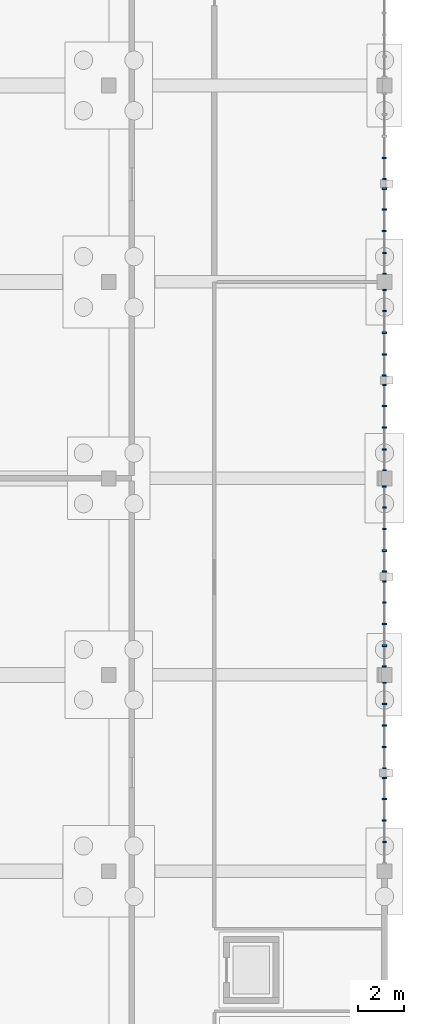
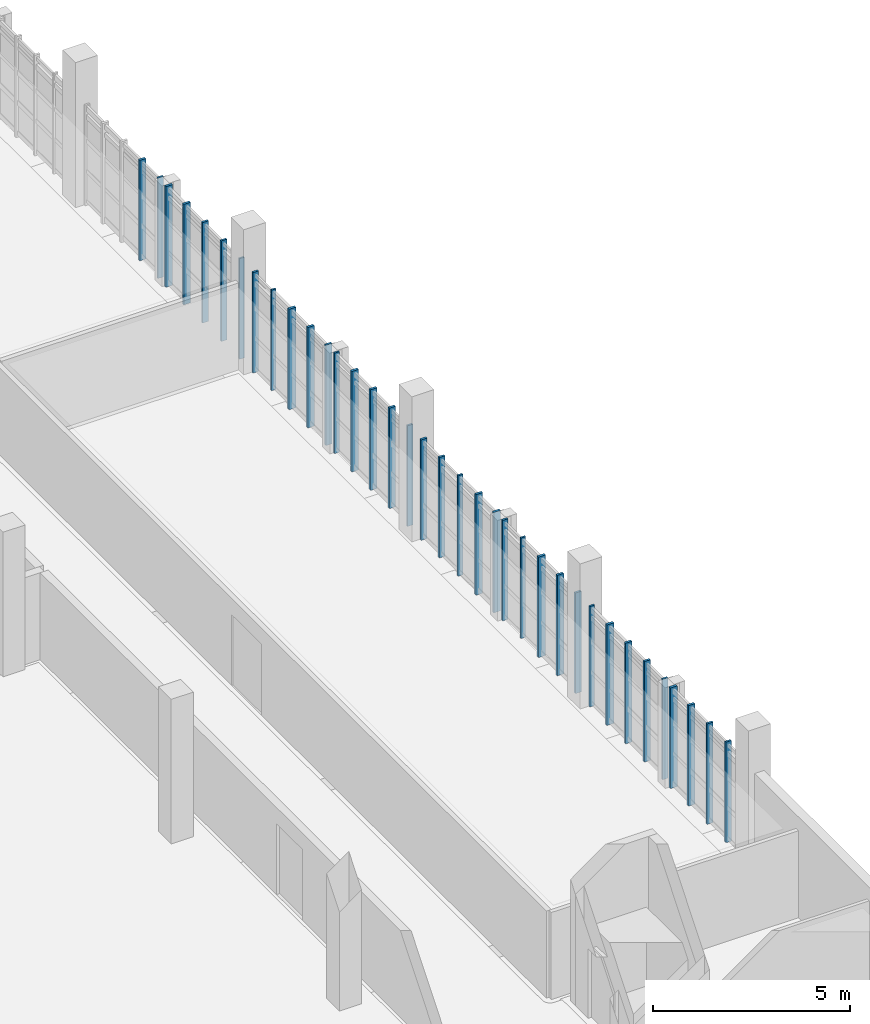
# One storey, part 48 of 125: 36 members, 8 elements without a shape of their own.
"""IFC4 building model written with IfcOpenShell, lengths in metres."""

from ifc_helpers import new_model, si_unit, direction, frame, origin, origin_2d, place, context, subcontext, project, spatial, rectangle, extrude, material, material_profile, profile_set, type_object, element, aggregate, save


model = new_model("IFC4")

# Units and contexts
model_context = context("Model", 3, precision=1e-05, world=origin(), true_north=direction((0.0, 1.0)))
body_context = subcontext(model_context, "Body", "Model", "MODEL_VIEW")
ifc_project = project(units=[si_unit("LENGTHUNIT", "METRE"), si_unit("AREAUNIT", "SQUARE_METRE"), si_unit("VOLUMEUNIT", "CUBIC_METRE"), si_unit("PLANEANGLEUNIT", "RADIAN"), si_unit("MASSUNIT", "GRAM", prefix="KILO")], contexts=[model_context])

# Site, building, storey
site_placement = place(None, origin())
site = spatial("IfcSite", under=ifc_project, at=site_placement, CompositionType="ELEMENT")
building_placement = place(site_placement, origin())
building = spatial("IfcBuilding", under=site, at=building_placement, Name="Serraforn Aerial Cableway Station", CompositionType="ELEMENT")
storey_placement = place(building_placement, frame((0.0, 0.0, 4.5)))
storey = spatial("IfcBuildingStorey", under=building, at=storey_placement, Name="L01", CompositionType="ELEMENT", Elevation=4.5)

# Curtain wall, member
ifc_material_1 = material(Name="Anodised bronze unitised curtain wall")
curtain_wall_type_1 = type_object("IfcCurtainWallType", Name="CW-SYS-8", PredefinedType="USERDEFINED", material=ifc_material_1)
curtain_wall_1_placement = place(storey_placement, origin())
curtain_wall_1 = element("IfcCurtainWall", 1, at=curtain_wall_1_placement, inside=storey, type_object=curtain_wall_type_1, Name="Unitised Curtain Wall CW-EG-L01-E3B", ObjectType="UNITISED CURTAIN WALL", PredefinedType="USERDEFINED")
ifc_material_2 = material(Name="Anodised bronze extruded aluminium", Category="aluminium")
ifc_material_profile_1 = material_profile(ifc_material_2, rectangle(XDim=0.054931640625, YDim=0.139892578125, at=origin_2d()), Name="CW MULLION 55x140")
ifc_profile_set_1 = profile_set([ifc_material_profile_1], Name="Anodised bronze extruded aluminium")
member_type_1 = type_object("IfcMemberType", Name="CW-MUL-1", PredefinedType="MULLION", material=ifc_profile_set_1)
member_1_placement = place(storey_placement, frame((168.0, 70.8994140625, 0.0), z_axis=(0.0, 0.0, 1.0), x_axis=(0.0, 1.0, 0.0)))
member_1 = element("IfcMember", 2, at=member_1_placement, type_object=member_type_1, Name="Curtain Wall Mullion CW-EG-L01-E3B-M5", PredefinedType="MULLION", context=body_context, shape_type="SweptSolid", body=[
    extrude(rectangle(XDim=0.054931640625, YDim=0.139892578125, at=origin_2d()), origin(), (0.0, 0.0, 1.0), 3.1201171875),
])

curtain_wall_type_2 = type_object("IfcCurtainWallType", Name="CW-SYS-9", PredefinedType="USERDEFINED", material=ifc_material_1)
curtain_wall_2_placement = place(storey_placement, origin())
curtain_wall_2 = element("IfcCurtainWall", 3, at=curtain_wall_2_placement, inside=storey, type_object=curtain_wall_type_2, Name="Unitised Curtain Wall CW-EG-L01-E4A", ObjectType="UNITISED CURTAIN WALL", PredefinedType="USERDEFINED")
member_2_placement = place(storey_placement, frame((168.0, 74.402099609375, 0.0), z_axis=(0.0, 0.0, 1.0), x_axis=(0.0, 1.0, 0.0)))
member_2 = element("IfcMember", 4, at=member_2_placement, type_object=member_type_1, Name="Curtain Wall Mullion CW-EG-L01-E4A-M4", PredefinedType="MULLION", context=body_context, shape_type="SweptSolid", body=[
    extrude(rectangle(XDim=0.054931640625, YDim=0.139892578125, at=origin_2d()), origin(), (0.0, 0.0, 1.0), 3.1201171875),
])

curtain_wall_type_3 = type_object("IfcCurtainWallType", Name="CW-SYS-10", PredefinedType="USERDEFINED", material=ifc_material_1)
curtain_wall_3_placement = place(storey_placement, origin())
curtain_wall_3 = element("IfcCurtainWall", 5, at=curtain_wall_3_placement, inside=storey, type_object=curtain_wall_type_3, Name="Unitised Curtain Wall CW-EG-L01-E4B", ObjectType="UNITISED CURTAIN WALL", PredefinedType="USERDEFINED")
member_3_placement = place(storey_placement, frame((168.0, 77.591064453125, 0.0), z_axis=(0.0, 0.0, 1.0), x_axis=(0.0, 1.0, 0.0)))
member_3 = element("IfcMember", 6, at=member_3_placement, type_object=member_type_1, Name="Curtain Wall Mullion CW-EG-L01-E4B-M3", PredefinedType="MULLION", context=body_context, shape_type="SweptSolid", body=[
    extrude(rectangle(XDim=0.054931640625, YDim=0.139892578125, at=origin_2d()), origin(), (0.0, 0.0, 1.0), 3.1201171875),
])

curtain_wall_type_4 = type_object("IfcCurtainWallType", Name="CW-SYS-13", PredefinedType="USERDEFINED", material=ifc_material_1)
curtain_wall_4_placement = place(storey_placement, origin())
curtain_wall_4 = element("IfcCurtainWall", 7, at=curtain_wall_4_placement, inside=storey, type_object=curtain_wall_type_4, Name="Unitised Curtain Wall CW-EG-L01-E5A", ObjectType="UNITISED CURTAIN WALL", PredefinedType="USERDEFINED")
member_4_placement = place(storey_placement, frame((168.0, 83.867431640625, 0.0), z_axis=(0.0, 0.0, 1.0), x_axis=(0.0, 1.0, 0.0)))
member_4 = element("IfcMember", 8, at=member_4_placement, type_object=member_type_1, Name="Curtain Wall Mullion CW-EG-L01-E5A-M5", PredefinedType="MULLION", context=body_context, shape_type="SweptSolid", body=[
    extrude(rectangle(XDim=0.054931640625, YDim=0.139892578125, at=origin_2d()), origin(), (0.0, 0.0, 1.0), 3.1201171875),
])

curtain_wall_type_5 = type_object("IfcCurtainWallType", Name="CW-SYS-14", PredefinedType="USERDEFINED", material=ifc_material_1)
curtain_wall_5_placement = place(storey_placement, origin())
curtain_wall_5 = element("IfcCurtainWall", 9, at=curtain_wall_5_placement, inside=storey, type_object=curtain_wall_type_5, Name="Unitised Curtain Wall CW-EG-L01-E5B", ObjectType="UNITISED CURTAIN WALL", PredefinedType="USERDEFINED")
member_5_placement = place(storey_placement, frame((168.0, 87.083984375, 0.0), z_axis=(0.0, 0.0, 1.0), x_axis=(0.0, 1.0, 0.0)))
member_5 = element("IfcMember", 10, at=member_5_placement, type_object=member_type_1, Name="Curtain Wall Mullion CW-EG-L01-E5B-M4", PredefinedType="MULLION", context=body_context, shape_type="SweptSolid", body=[
    extrude(rectangle(XDim=0.054931640625, YDim=0.139892578125, at=origin_2d()), origin(), (0.0, 0.0, 1.0), 3.1201171875),
])

curtain_wall_type_6 = type_object("IfcCurtainWallType", Name="CW-SYS-17", PredefinedType="USERDEFINED", material=ifc_material_1)
curtain_wall_6_placement = place(storey_placement, origin())
curtain_wall_6 = element("IfcCurtainWall", 11, at=curtain_wall_6_placement, inside=storey, type_object=curtain_wall_type_6, Name="Unitised Curtain Wall CW-EG-L01-E6A", ObjectType="UNITISED CURTAIN WALL", PredefinedType="USERDEFINED")
member_6_placement = place(storey_placement, frame((168.0, 88.700439453125, 0.0), z_axis=(0.0, 0.0, 1.0), x_axis=(0.0, 1.0, 0.0)))
member_6 = element("IfcMember", 12, at=member_6_placement, type_object=member_type_1, Name="Curtain Wall Mullion CW-EG-L01-E6A-M1", PredefinedType="MULLION", context=body_context, shape_type="SweptSolid", body=[
    extrude(rectangle(XDim=0.054931640625, YDim=0.139892578125, at=origin_2d()), origin(), (0.0, 0.0, 1.0), 3.1201171875),
])

curtain_wall_type_7 = type_object("IfcCurtainWallType", Name="CW-SYS-7", PredefinedType="USERDEFINED", material=ifc_material_1)
curtain_wall_7_placement = place(storey_placement, origin())
curtain_wall_7 = element("IfcCurtainWall", 13, at=curtain_wall_7_placement, inside=storey, type_object=curtain_wall_type_7, Name="Unitised Curtain Wall CW-EG-L01-E3A", ObjectType="UNITISED CURTAIN WALL", PredefinedType="USERDEFINED")
ifc_material_profile_2 = material_profile(ifc_material_2, rectangle(XDim=0.06005859375, YDim=0.159912109375, at=origin_2d()), Name="CW MULLION 60x160")
ifc_profile_set_2 = profile_set([ifc_material_profile_2], Name="Anodised bronze extruded aluminium")
member_type_2 = type_object("IfcMemberType", Name="CW-MUL-2", PredefinedType="MULLION", material=ifc_profile_set_2)
member_7_placement = place(storey_placement, frame((168.0, 63.966064453125, 0.0), z_axis=(0.0, 0.0, 1.0), x_axis=(0.0, 1.0, 0.0)))
member_7 = element("IfcMember", 14, at=member_7_placement, type_object=member_type_2, Name="Curtain Wall Mullion CW-EG-L01-E3A-M2", PredefinedType="MULLION", context=body_context, shape_type="SweptSolid", body=[
    extrude(rectangle(XDim=0.06005859375, YDim=0.159912109375, at=origin_2d()), origin(), (0.0, 0.0, 1.0), 3.1201171875),
])

# Member
member_8_placement = place(storey_placement, frame((168.0, 67.18505859375, 0.0), z_axis=(0.0, 0.0, 1.0), x_axis=(0.0, 1.0, 0.0)))
member_8 = element("IfcMember", 15, at=member_8_placement, type_object=member_type_2, Name="Curtain Wall Mullion CW-EG-L01-E3B-M1", PredefinedType="MULLION", context=body_context, shape_type="SweptSolid", body=[
    extrude(rectangle(XDim=0.06005859375, YDim=0.159912109375, at=origin_2d()), origin(), (0.0, 0.0, 1.0), 3.1201171875),
])

member_9_placement = place(storey_placement, frame((168.0, 75.31494140625, 0.0), z_axis=(0.0, 0.0, 1.0), x_axis=(0.0, 1.0, 0.0)))
member_9 = element("IfcMember", 16, at=member_9_placement, type_object=member_type_2, Name="Curtain Wall Mullion CW-EG-L01-E4A-M5", PredefinedType="MULLION", context=body_context, shape_type="SweptSolid", body=[
    extrude(rectangle(XDim=0.06005859375, YDim=0.159912109375, at=origin_2d()), origin(), (0.0, 0.0, 1.0), 3.1201171875),
])

member_10_placement = place(storey_placement, frame((168.0, 78.533935546875, 0.0), z_axis=(0.0, 0.0, 1.0), x_axis=(0.0, 1.0, 0.0)))
member_10 = element("IfcMember", 17, at=member_10_placement, type_object=member_type_2, Name="Curtain Wall Mullion CW-EG-L01-E4B-M4", PredefinedType="MULLION", context=body_context, shape_type="SweptSolid", body=[
    extrude(rectangle(XDim=0.06005859375, YDim=0.159912109375, at=origin_2d()), origin(), (0.0, 0.0, 1.0), 3.1201171875),
])

member_11_placement = place(storey_placement, frame((168.0, 80.153076171875, 0.0), z_axis=(0.0, 0.0, 1.0), x_axis=(0.0, 1.0, 0.0)))
member_11 = element("IfcMember", 18, at=member_11_placement, type_object=member_type_2, Name="Curtain Wall Mullion CW-EG-L01-E5A-M1", PredefinedType="MULLION", context=body_context, shape_type="SweptSolid", body=[
    extrude(rectangle(XDim=0.06005859375, YDim=0.159912109375, at=origin_2d()), origin(), (0.0, 0.0, 1.0), 3.1201171875),
])

member_12_placement = place(storey_placement, frame((168.0, 87.9970703125, 0.0), z_axis=(0.0, 0.0, 1.0), x_axis=(0.0, 1.0, 0.0)))
member_12 = element("IfcMember", 19, at=member_12_placement, type_object=member_type_2, Name="Curtain Wall Mullion CW-EG-L01-E5B-M5", PredefinedType="MULLION", context=body_context, shape_type="SweptSolid", body=[
    extrude(rectangle(XDim=0.06005859375, YDim=0.159912109375, at=origin_2d()), origin(), (0.0, 0.0, 1.0), 3.1201171875),
])

member_13_placement = place(storey_placement, frame((168.0, 89.615966796875, 0.0), z_axis=(0.0, 0.0, 1.0), x_axis=(0.0, 1.0, 0.0)))
member_13 = element("IfcMember", 20, at=member_13_placement, type_object=member_type_2, Name="Curtain Wall Mullion CW-EG-L01-E6A-M2", PredefinedType="MULLION", context=body_context, shape_type="SweptSolid", body=[
    extrude(rectangle(XDim=0.06005859375, YDim=0.159912109375, at=origin_2d()), origin(), (0.0, 0.0, 1.0), 3.1201171875),
])

# Curtain wall, member
curtain_wall_type_8 = type_object("IfcCurtainWallType", Name="CW-SYS-18", PredefinedType="USERDEFINED", material=ifc_material_1)
curtain_wall_8_placement = place(storey_placement, origin())
curtain_wall_8 = element("IfcCurtainWall", 21, at=curtain_wall_8_placement, inside=storey, type_object=curtain_wall_type_8, Name="Unitised Curtain Wall CW-EG-L01-E6B", ObjectType="UNITISED CURTAIN WALL", PredefinedType="USERDEFINED")
member_14_placement = place(storey_placement, frame((168.0, 92.8349609375, 0.0), z_axis=(0.0, 0.0, 1.0), x_axis=(0.0, 1.0, 0.0)))
member_14 = element("IfcMember", 22, at=member_14_placement, type_object=member_type_2, Name="Curtain Wall Mullion CW-EG-L01-E6B-M1", PredefinedType="MULLION", context=body_context, shape_type="SweptSolid", body=[
    extrude(rectangle(XDim=0.06005859375, YDim=0.159912109375, at=origin_2d()), origin(), (0.0, 0.0, 1.0), 3.1201171875),
])

# Member
ifc_material_profile_3 = material_profile(ifc_material_2, rectangle(XDim=0.06494140625, YDim=0.175048828125, at=origin_2d()), Name="CW MULLION 65x175")
ifc_profile_set_3 = profile_set([ifc_material_profile_3], Name="Anodised bronze extruded aluminium")
member_type_3 = type_object("IfcMemberType", Name="CW-MUL-3", PredefinedType="MULLION", material=ifc_profile_set_3)
member_15_placement = place(storey_placement, frame((168.0, 64.908935546875, 0.0), z_axis=(0.0, 0.0, 1.0), x_axis=(0.0, 1.0, 0.0)))
member_15 = element("IfcMember", 23, at=member_15_placement, type_object=member_type_3, Name="Curtain Wall Mullion CW-EG-L01-E3A-M3", PredefinedType="MULLION", context=body_context, shape_type="SweptSolid", body=[
    extrude(rectangle(XDim=0.06494140625, YDim=0.175048828125, at=origin_2d()), origin(), (0.0, 0.0, 1.0), 3.1201171875),
])

member_16_placement = place(storey_placement, frame((168.0, 68.097900390625, 0.0), z_axis=(0.0, 0.0, 1.0), x_axis=(0.0, 1.0, 0.0)))
member_16 = element("IfcMember", 24, at=member_16_placement, type_object=member_type_3, Name="Curtain Wall Mullion CW-EG-L01-E3B-M2", PredefinedType="MULLION", context=body_context, shape_type="SweptSolid", body=[
    extrude(rectangle(XDim=0.06494140625, YDim=0.175048828125, at=origin_2d()), origin(), (0.0, 0.0, 1.0), 3.1201171875),
])

member_17_placement = place(storey_placement, frame((168.0, 71.60546875, 0.0), z_axis=(0.0, 0.0, 1.0), x_axis=(0.0, 1.0, 0.0)))
member_17 = element("IfcMember", 25, at=member_17_placement, type_object=member_type_3, Name="Curtain Wall Mullion CW-EG-L01-E4A-M1", PredefinedType="MULLION", context=body_context, shape_type="SweptSolid", body=[
    extrude(rectangle(XDim=0.06494140625, YDim=0.175048828125, at=origin_2d()), origin(), (0.0, 0.0, 1.0), 3.1201171875),
])

member_18_placement = place(storey_placement, frame((168.0, 79.444580078125, 0.0), z_axis=(0.0, 0.0, 1.0), x_axis=(0.0, 1.0, 0.0)))
member_18 = element("IfcMember", 26, at=member_18_placement, type_object=member_type_3, Name="Curtain Wall Mullion CW-EG-L01-E4B-M5", PredefinedType="MULLION", context=body_context, shape_type="SweptSolid", body=[
    extrude(rectangle(XDim=0.06494140625, YDim=0.175048828125, at=origin_2d()), origin(), (0.0, 0.0, 1.0), 3.1201171875),
])

member_19_placement = place(storey_placement, frame((168.0, 81.06591796875, 0.0), z_axis=(0.0, 0.0, 1.0), x_axis=(0.0, 1.0, 0.0)))
member_19 = element("IfcMember", 27, at=member_19_placement, type_object=member_type_3, Name="Curtain Wall Mullion CW-EG-L01-E5A-M2", PredefinedType="MULLION", context=body_context, shape_type="SweptSolid", body=[
    extrude(rectangle(XDim=0.06494140625, YDim=0.175048828125, at=origin_2d()), origin(), (0.0, 0.0, 1.0), 3.1201171875),
])

member_20_placement = place(storey_placement, frame((168.0, 84.28759765625, 0.0), z_axis=(0.0, 0.0, 1.0), x_axis=(0.0, 1.0, 0.0)))
member_20 = element("IfcMember", 28, at=member_20_placement, type_object=member_type_3, Name="Curtain Wall Mullion CW-EG-L01-E5B-M1", PredefinedType="MULLION", context=body_context, shape_type="SweptSolid", body=[
    extrude(rectangle(XDim=0.06494140625, YDim=0.175048828125, at=origin_2d()), origin(), (0.0, 0.0, 1.0), 3.1201171875),
])

member_21_placement = place(storey_placement, frame((168.0, 90.55908203125, 0.0), z_axis=(0.0, 0.0, 1.0), x_axis=(0.0, 1.0, 0.0)))
member_21 = element("IfcMember", 29, at=member_21_placement, type_object=member_type_3, Name="Curtain Wall Mullion CW-EG-L01-E6A-M3", PredefinedType="MULLION", context=body_context, shape_type="SweptSolid", body=[
    extrude(rectangle(XDim=0.06494140625, YDim=0.175048828125, at=origin_2d()), origin(), (0.0, 0.0, 1.0), 3.1201171875),
])

member_22_placement = place(storey_placement, frame((168.0, 93.748046875, 0.0), z_axis=(0.0, 0.0, 1.0), x_axis=(0.0, 1.0, 0.0)))
member_22 = element("IfcMember", 30, at=member_22_placement, type_object=member_type_3, Name="Curtain Wall Mullion CW-EG-L01-E6B-M2", PredefinedType="MULLION", context=body_context, shape_type="SweptSolid", body=[
    extrude(rectangle(XDim=0.06494140625, YDim=0.175048828125, at=origin_2d()), origin(), (0.0, 0.0, 1.0), 3.1201171875),
])

aggregate(curtain_wall_8, [member_14, member_22])

ifc_material_profile_4 = material_profile(ifc_material_2, rectangle(XDim=0.070068359375, YDim=0.18994140625, at=origin_2d()), Name="CW MULLION 70x190")
ifc_profile_set_4 = profile_set([ifc_material_profile_4], Name="Anodised bronze extruded aluminium")
member_type_4 = type_object("IfcMemberType", Name="CW-MUL-4", PredefinedType="MULLION", material=ifc_profile_set_4)
member_23_placement = place(storey_placement, frame((168.0, 65.85205078125, 0.0), z_axis=(0.0, 0.0, 1.0), x_axis=(0.0, 1.0, 0.0)))
member_23 = element("IfcMember", 31, at=member_23_placement, type_object=member_type_4, Name="Curtain Wall Mullion CW-EG-L01-E3A-M4", PredefinedType="MULLION", context=body_context, shape_type="SweptSolid", body=[
    extrude(rectangle(XDim=0.070068359375, YDim=0.18994140625, at=origin_2d()), origin(), (0.0, 0.0, 1.0), 3.1201171875),
])

member_24_placement = place(storey_placement, frame((168.0, 69.041015625, 0.0), z_axis=(0.0, 0.0, 1.0), x_axis=(0.0, 1.0, 0.0)))
member_24 = element("IfcMember", 32, at=member_24_placement, type_object=member_type_4, Name="Curtain Wall Mullion CW-EG-L01-E3B-M3", PredefinedType="MULLION", context=body_context, shape_type="SweptSolid", body=[
    extrude(rectangle(XDim=0.070068359375, YDim=0.18994140625, at=origin_2d()), origin(), (0.0, 0.0, 1.0), 3.1201171875),
])

member_25_placement = place(storey_placement, frame((168.0, 72.51611328125, 0.0), z_axis=(0.0, 0.0, 1.0), x_axis=(0.0, 1.0, 0.0)))
member_25 = element("IfcMember", 33, at=member_25_placement, type_object=member_type_4, Name="Curtain Wall Mullion CW-EG-L01-E4A-M2", PredefinedType="MULLION", context=body_context, shape_type="SweptSolid", body=[
    extrude(rectangle(XDim=0.070068359375, YDim=0.18994140625, at=origin_2d()), origin(), (0.0, 0.0, 1.0), 3.1201171875),
])

member_26_placement = place(storey_placement, frame((168.0, 75.739990234375, 0.0), z_axis=(0.0, 0.0, 1.0), x_axis=(0.0, 1.0, 0.0)))
member_26 = element("IfcMember", 34, at=member_26_placement, type_object=member_type_4, Name="Curtain Wall Mullion CW-EG-L01-E4B-M1", PredefinedType="MULLION", context=body_context, shape_type="SweptSolid", body=[
    extrude(rectangle(XDim=0.070068359375, YDim=0.18994140625, at=origin_2d()), origin(), (0.0, 0.0, 1.0), 3.1201171875),
])

member_27_placement = place(storey_placement, frame((168.0, 82.009033203125, 0.0), z_axis=(0.0, 0.0, 1.0), x_axis=(0.0, 1.0, 0.0)))
member_27 = element("IfcMember", 35, at=member_27_placement, type_object=member_type_4, Name="Curtain Wall Mullion CW-EG-L01-E5A-M3", PredefinedType="MULLION", context=body_context, shape_type="SweptSolid", body=[
    extrude(rectangle(XDim=0.070068359375, YDim=0.18994140625, at=origin_2d()), origin(), (0.0, 0.0, 1.0), 3.1201171875),
])

member_28_placement = place(storey_placement, frame((168.0, 85.197998046875, 0.0), z_axis=(0.0, 0.0, 1.0), x_axis=(0.0, 1.0, 0.0)))
member_28 = element("IfcMember", 36, at=member_28_placement, type_object=member_type_4, Name="Curtain Wall Mullion CW-EG-L01-E5B-M2", PredefinedType="MULLION", context=body_context, shape_type="SweptSolid", body=[
    extrude(rectangle(XDim=0.070068359375, YDim=0.18994140625, at=origin_2d()), origin(), (0.0, 0.0, 1.0), 3.1201171875),
])

member_29_placement = place(storey_placement, frame((168.0, 91.501953125, 0.0), z_axis=(0.0, 0.0, 1.0), x_axis=(0.0, 1.0, 0.0)))
member_29 = element("IfcMember", 37, at=member_29_placement, type_object=member_type_4, Name="Curtain Wall Mullion CW-EG-L01-E6A-M4", PredefinedType="MULLION", context=body_context, shape_type="SweptSolid", body=[
    extrude(rectangle(XDim=0.070068359375, YDim=0.18994140625, at=origin_2d()), origin(), (0.0, 0.0, 1.0), 3.1201171875),
])

ifc_material_profile_5 = material_profile(ifc_material_2, rectangle(XDim=0.074951171875, YDim=0.199951171875, at=origin_2d()), Name="CW MULLION 75x200")
ifc_profile_set_5 = profile_set([ifc_material_profile_5], Name="Anodised bronze extruded aluminium")
member_type_5 = type_object("IfcMemberType", Name="CW-MUL-5", PredefinedType="MULLION", material=ifc_profile_set_5)
member_30_placement = place(storey_placement, frame((168.0, 66.757568359375, 0.0), z_axis=(0.0, 0.0, 1.0), x_axis=(0.0, 1.0, 0.0)))
member_30 = element("IfcMember", 38, at=member_30_placement, type_object=member_type_5, Name="Curtain Wall Mullion CW-EG-L01-E3A-M5", PredefinedType="MULLION", context=body_context, shape_type="SweptSolid", body=[
    extrude(rectangle(XDim=0.074951171875, YDim=0.199951171875, at=origin_2d()), origin(), (0.0, 0.0, 1.0), 3.1201171875),
])

aggregate(curtain_wall_7, [member_7, member_15, member_23, member_30])

member_31_placement = place(storey_placement, frame((168.0, 69.98388671875, 0.0), z_axis=(0.0, 0.0, 1.0), x_axis=(0.0, 1.0, 0.0)))
member_31 = element("IfcMember", 39, at=member_31_placement, type_object=member_type_5, Name="Curtain Wall Mullion CW-EG-L01-E3B-M4", PredefinedType="MULLION", context=body_context, shape_type="SweptSolid", body=[
    extrude(rectangle(XDim=0.074951171875, YDim=0.199951171875, at=origin_2d()), origin(), (0.0, 0.0, 1.0), 3.1201171875),
])

aggregate(curtain_wall_1, [member_8, member_16, member_24, member_31, member_1])

member_32_placement = place(storey_placement, frame((168.0, 73.458984375, 0.0), z_axis=(0.0, 0.0, 1.0), x_axis=(0.0, 1.0, 0.0)))
member_32 = element("IfcMember", 40, at=member_32_placement, type_object=member_type_5, Name="Curtain Wall Mullion CW-EG-L01-E4A-M3", PredefinedType="MULLION", context=body_context, shape_type="SweptSolid", body=[
    extrude(rectangle(XDim=0.074951171875, YDim=0.199951171875, at=origin_2d()), origin(), (0.0, 0.0, 1.0), 3.1201171875),
])

aggregate(curtain_wall_2, [member_17, member_25, member_32, member_2, member_9])

member_33_placement = place(storey_placement, frame((168.0, 76.64794921875, 0.0), z_axis=(0.0, 0.0, 1.0), x_axis=(0.0, 1.0, 0.0)))
member_33 = element("IfcMember", 41, at=member_33_placement, type_object=member_type_5, Name="Curtain Wall Mullion CW-EG-L01-E4B-M2", PredefinedType="MULLION", context=body_context, shape_type="SweptSolid", body=[
    extrude(rectangle(XDim=0.074951171875, YDim=0.199951171875, at=origin_2d()), origin(), (0.0, 0.0, 1.0), 3.1201171875),
])

aggregate(curtain_wall_3, [member_26, member_33, member_3, member_10, member_18])

member_34_placement = place(storey_placement, frame((168.0, 82.951904296875, 0.0), z_axis=(0.0, 0.0, 1.0), x_axis=(0.0, 1.0, 0.0)))
member_34 = element("IfcMember", 42, at=member_34_placement, type_object=member_type_5, Name="Curtain Wall Mullion CW-EG-L01-E5A-M4", PredefinedType="MULLION", context=body_context, shape_type="SweptSolid", body=[
    extrude(rectangle(XDim=0.074951171875, YDim=0.199951171875, at=origin_2d()), origin(), (0.0, 0.0, 1.0), 3.1201171875),
])

aggregate(curtain_wall_4, [member_11, member_19, member_27, member_34, member_4])

member_35_placement = place(storey_placement, frame((168.0, 86.14111328125, 0.0), z_axis=(0.0, 0.0, 1.0), x_axis=(0.0, 1.0, 0.0)))
member_35 = element("IfcMember", 43, at=member_35_placement, type_object=member_type_5, Name="Curtain Wall Mullion CW-EG-L01-E5B-M3", PredefinedType="MULLION", context=body_context, shape_type="SweptSolid", body=[
    extrude(rectangle(XDim=0.074951171875, YDim=0.199951171875, at=origin_2d()), origin(), (0.0, 0.0, 1.0), 3.1201171875),
])

aggregate(curtain_wall_5, [member_20, member_28, member_35, member_5, member_12])

member_36_placement = place(storey_placement, frame((168.0, 92.407470703125, 0.0), z_axis=(0.0, 0.0, 1.0), x_axis=(0.0, 1.0, 0.0)))
member_36 = element("IfcMember", 44, at=member_36_placement, type_object=member_type_5, Name="Curtain Wall Mullion CW-EG-L01-E6A-M5", PredefinedType="MULLION", context=body_context, shape_type="SweptSolid", body=[
    extrude(rectangle(XDim=0.074951171875, YDim=0.199951171875, at=origin_2d()), origin(), (0.0, 0.0, 1.0), 3.1201171875),
])

aggregate(curtain_wall_6, [member_6, member_13, member_21, member_29, member_36])

save(model, "model.ifc")
